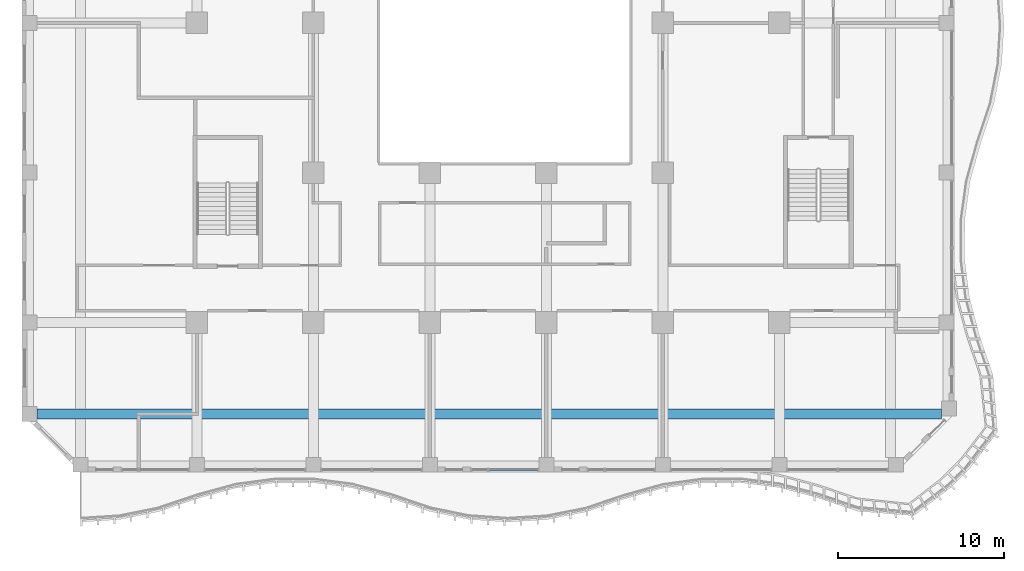
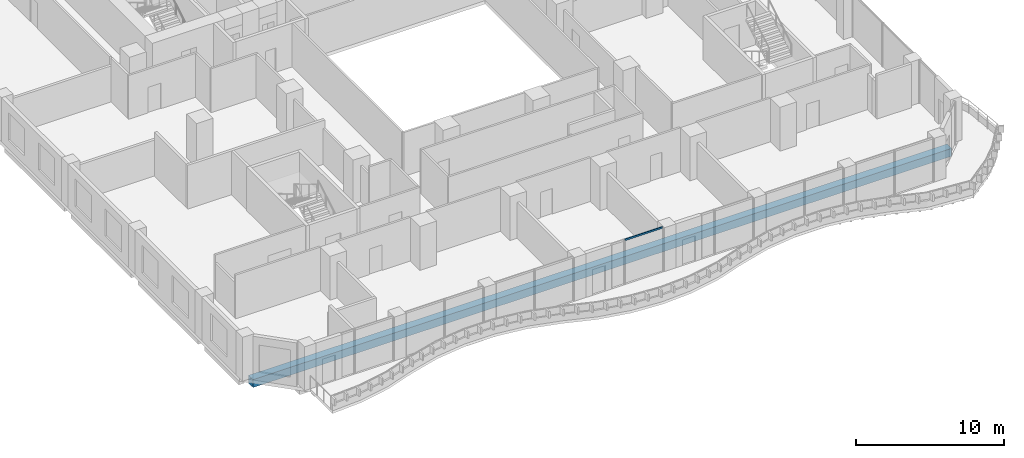
# One storey, part 3 of 23: 1 beam, 1 member, 1 element without a shape of its own.
"""IFC4 building model written with IfcOpenShell, lengths in metres."""

from ifc_helpers import new_model, si_unit, direction, frame, origin, origin_2d, place, context, subcontext, project, spatial, rectangle, extrude, source, transform, mapped, material, material_profile, profile_set, type_object, element, aggregate, save


model = new_model("IFC4")

# Units and contexts
model_context = context("Model", 3, precision=1e-05, world=origin(), true_north=direction((0.0, 1.0)))
body_context = subcontext(model_context, "Body", "Model", "MODEL_VIEW")
ifc_project = project(units=[si_unit("LENGTHUNIT", "METRE"), si_unit("AREAUNIT", "SQUARE_METRE"), si_unit("VOLUMEUNIT", "CUBIC_METRE"), si_unit("PLANEANGLEUNIT", "RADIAN"), si_unit("MASSUNIT", "GRAM", prefix="KILO")], contexts=[model_context])

# Site, building, storey
site_placement = place(None, origin())
site = spatial("IfcSite", under=ifc_project, at=site_placement, CompositionType="ELEMENT")
building_placement = place(site_placement, origin())
building = spatial("IfcBuilding", under=site, at=building_placement, Name="Kilnfold Tower and Market Hall", CompositionType="ELEMENT")
storey_placement = place(building_placement, frame((0.0, 0.0, 55.0)))
storey = spatial("IfcBuildingStorey", under=building, at=storey_placement, Name="L12", CompositionType="ELEMENT", Elevation=55.0)

# Beam
ifc_material_1 = material(Name="Concrete C45", Category="concrete")
ifc_material_profile_1 = material_profile(ifc_material_1, rectangle(XDim=0.60009765625, YDim=0.64990234375, at=origin_2d()), Name="RC 600x650")
ifc_profile_set_1 = profile_set([ifc_material_profile_1], Name="Concrete C45")
beam_type = type_object("IfcBeamType", Name="BEAM 600X650 C45", PredefinedType="BEAM", material=ifc_profile_set_1)
shared_shape_1 = source(origin(), body_context, "Body", "SweptSolid", [
    extrude(rectangle(XDim=0.60009765625, YDim=0.64990234375, at=origin_2d()), origin(), (0.0, 0.0, 1.0), 54.331787109375),
])
beam_placement = place(storey_placement, frame((-27.10009765625, -24.5, -0.60498046875), z_axis=(1.0, 0.0, 0.0), x_axis=(0.0, 1.0, 0.0)))
element("IfcBeam", 1, at=beam_placement, inside=storey, type_object=beam_type, Name="Beam BB650-B1.55", PredefinedType="BEAM", context=body_context, shape_type="MappedRepresentation", body=[
    mapped(shared_shape_1, transform((0.0, 0.0, 0.0))),
])

# Curtain wall, member
ifc_material_2 = material(Name="Aluminium and double glazing", Category="aluminium")
curtain_wall_type = type_object("IfcCurtainWallType", Name="CW OF1 VALLEY GLAZING", PredefinedType="NOTDEFINED", material=ifc_material_2)
curtain_wall_placement = place(storey_placement, origin())
curtain_wall = element("IfcCurtainWall", 2, at=curtain_wall_placement, inside=storey, type_object=curtain_wall_type, Name="Curtain wall CW1 L12 S", PredefinedType="NOTDEFINED")
ifc_material_3 = material(Name="Aluminium", Category="aluminium")
ifc_material_profile_2 = material_profile(ifc_material_3, rectangle(XDim=0.06005859375, YDim=0.139892578125, at=origin_2d()), Name="TRANSOM 60x140")
ifc_profile_set_2 = profile_set([ifc_material_profile_2], Name="Aluminium")
member_type = type_object("IfcMemberType", Name="TRANSOM 60X140", PredefinedType="USERDEFINED", material=ifc_profile_set_2)
shared_shape_2 = source(origin(), body_context, "Body", "SweptSolid", [
    extrude(rectangle(XDim=0.06005859375, YDim=0.139892578125, at=origin_2d()), origin(), (0.0, 0.0, 1.0), 2.929931640625),
])
member_placement = place(storey_placement, frame((0.06005859375, -27.85009765625, 3.570068359375), z_axis=(1.0, 0.0, 0.0), x_axis=(0.0, 1.0, 0.0)))
member = element("IfcMember", 3, at=member_placement, type_object=member_type, Name="CW1 transom 1.2", ObjectType="TRANSOM", PredefinedType="USERDEFINED", context=body_context, shape_type="MappedRepresentation", body=[
    mapped(shared_shape_2, transform((0.0, 0.0, 0.0))),
])
aggregate(curtain_wall, [member])

save(model, "model.ifc")
